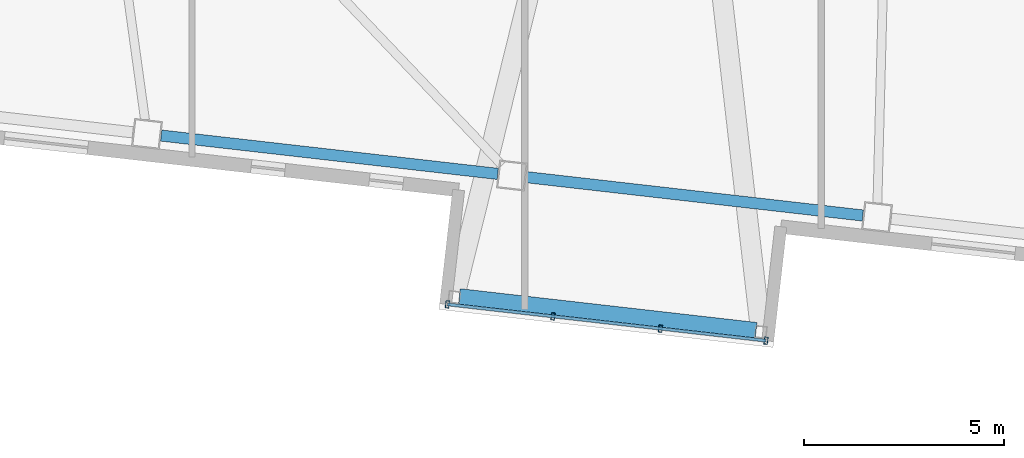
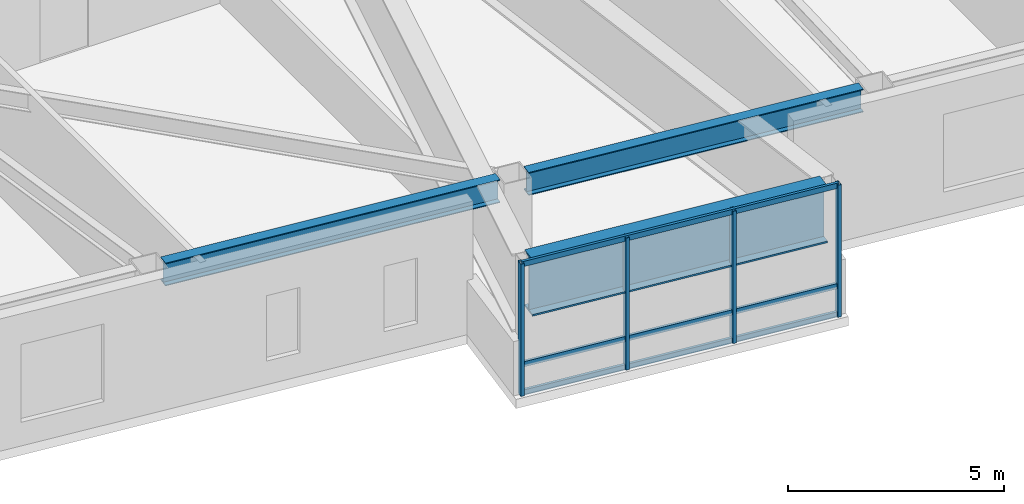
# One storey, part 3 of 22: 7 members, 3 beams, 1 element without a shape of its own.
"""IFC4 building model written with IfcOpenShell, lengths in metres."""

from ifc_helpers import new_model, si_unit, direction, frame, origin, origin_2d, place, context, subcontext, project, spatial, hollow_rectangle, i_section, extrude, material, layer, layer_set, material_profile, profile_set, type_object, element, aggregate, save


model = new_model("IFC4")

# Units and contexts
model_context = context("Model", 3, precision=1e-05, world=origin(), true_north=direction((0.0, 1.0)))
body_context = subcontext(model_context, "Body", "Model", "MODEL_VIEW")
ifc_project = project(units=[si_unit("LENGTHUNIT", "METRE"), si_unit("AREAUNIT", "SQUARE_METRE"), si_unit("VOLUMEUNIT", "CUBIC_METRE"), si_unit("PLANEANGLEUNIT", "RADIAN"), si_unit("MASSUNIT", "GRAM", prefix="KILO")], contexts=[model_context])

# Site, building, storey
site_placement = place(None, origin())
site = spatial("IfcSite", under=ifc_project, at=site_placement, CompositionType="ELEMENT")
building_placement = place(site_placement, origin())
building = spatial("IfcBuilding", under=site, at=building_placement, Name="Tavrogorsk Clinical Tower", CompositionType="ELEMENT")
storey_placement = place(building_placement, frame((0.0, 0.0, 93.39990234375)))
storey = spatial("IfcBuildingStorey", under=building, at=storey_placement, Name="L20", CompositionType="ELEMENT", Elevation=93.39990234375)

# Curtain wall, members
ifc_material_1 = material(Name="Anodised aluminium and triple IGU glazing", Category="aluminium")
ifc_layer = layer(ifc_material_1, 0.179931640625)
ifc_layer_set = layer_set([ifc_layer], Name="Anodised aluminium and triple IGU glazing")
curtain_wall_type = type_object("IfcCurtainWallType", Name="CW4_DayroomBox", PredefinedType="NOTDEFINED", material=ifc_layer_set)
curtain_wall_placement = place(storey_placement, origin())
curtain_wall = element("IfcCurtainWall", 1, at=curtain_wall_placement, inside=storey, type_object=curtain_wall_type, Name="L20 Curtain Wall CW-DRB-03-L20", PredefinedType="NOTDEFINED")
ifc_material_2 = material(Name="Anodised aluminium alloy AW-6060", Category="aluminium")
ifc_material_profile_1 = material_profile(ifc_material_2, hollow_rectangle(XDim=0.090087890625, YDim=0.179931640625, WallThickness=0.00634765625, at=origin_2d()), Name="RHS-180x90x6.3")
ifc_profile_set_1 = profile_set([ifc_material_profile_1], Name="Anodised aluminium alloy AW-6060")
member_type_1 = type_object("IfcMemberType", Name="CwMullion_180x90", PredefinedType="MULLION", material=ifc_profile_set_1)
member_1_placement = place(storey_placement, frame((-15.62158203125, -27.424560546875, 0.0), z_axis=(0.0, 0.0, 1.0), x_axis=(0.993571856066, -0.113203210352, 0.0)))
member_1 = element("IfcMember", 2, at=member_1_placement, type_object=member_type_1, Name="CW-DRB-03-L20 Mullion 1", PredefinedType="MULLION", context=body_context, shape_type="SweptSolid", body=[
    extrude(hollow_rectangle(XDim=0.090087890625, YDim=0.179931640625, WallThickness=0.00634765625, at=origin_2d()), origin(), (0.0, 0.0, 1.0), 3.739990234375),
])
member_2_placement = place(storey_placement, frame((-12.983642578125, -27.72509765625, 0.0), z_axis=(0.0, 0.0, 1.0), x_axis=(0.993571856066, -0.113203210352, 0.0)))
member_2 = element("IfcMember", 3, at=member_2_placement, type_object=member_type_1, Name="CW-DRB-03-L20 Mullion 2", PredefinedType="MULLION", context=body_context, shape_type="SweptSolid", body=[
    extrude(hollow_rectangle(XDim=0.090087890625, YDim=0.179931640625, WallThickness=0.00634765625, at=origin_2d()), origin(), (0.0, 0.0, 1.0), 3.739990234375),
])
member_3_placement = place(storey_placement, frame((-10.301025390625, -28.03076171875, 0.0), z_axis=(0.0, 0.0, 1.0), x_axis=(0.993571856066, -0.113203210352, 0.0)))
member_3 = element("IfcMember", 4, at=member_3_placement, type_object=member_type_1, Name="CW-DRB-03-L20 Mullion 3", PredefinedType="MULLION", context=body_context, shape_type="SweptSolid", body=[
    extrude(hollow_rectangle(XDim=0.090087890625, YDim=0.179931640625, WallThickness=0.00634765625, at=origin_2d()), origin(), (0.0, 0.0, 1.0), 3.739990234375),
])
member_4_placement = place(storey_placement, frame((-7.6630859375, -28.331298828125, 0.0), z_axis=(0.0, 0.0, 1.0), x_axis=(0.993571856066, -0.113203210352, 0.0)))
member_4 = element("IfcMember", 5, at=member_4_placement, type_object=member_type_1, Name="CW-DRB-03-L20 Mullion 4", PredefinedType="MULLION", context=body_context, shape_type="SweptSolid", body=[
    extrude(hollow_rectangle(XDim=0.090087890625, YDim=0.179931640625, WallThickness=0.00634765625, at=origin_2d()), origin(), (0.0, 0.0, 1.0), 3.739990234375),
])
ifc_material_3 = material(Name="Anodised aluminium alloy AW-6060", Category="aluminium")
ifc_material_profile_2 = material_profile(ifc_material_3, hollow_rectangle(XDim=0.074951171875, YDim=0.14990234375, WallThickness=0.0048828125, at=origin_2d()), Name="RHS-150x75x5")
ifc_profile_set_2 = profile_set([ifc_material_profile_2], Name="Anodised aluminium alloy AW-6060")
member_type_2 = type_object("IfcMemberType", Name="CwTransom_150x75", PredefinedType="USERDEFINED", material=ifc_profile_set_2)
member_5_placement = place(storey_placement, frame((-15.62158203125, -27.424560546875, 0.050048828125), z_axis=(0.993572105794, -0.113201018496, 0.0), x_axis=(0.113201018496, 0.993572105794, 0.0)))
member_5 = element("IfcMember", 6, at=member_5_placement, type_object=member_type_2, Name="CW-DRB-03-L20 Transom 1", ObjectType="TRANSOM", PredefinedType="USERDEFINED", context=body_context, shape_type="SweptSolid", body=[
    extrude(hollow_rectangle(XDim=0.074951171875, YDim=0.14990234375, WallThickness=0.0048828125, at=origin_2d()), origin(), (0.0, 0.0, 1.0), 8.010009765625),
])
member_6_placement = place(storey_placement, frame((-15.62158203125, -27.424560546875, 0.85009765625), z_axis=(0.993572105794, -0.113201018496, 0.0), x_axis=(0.113201018496, 0.993572105794, 0.0)))
member_6 = element("IfcMember", 7, at=member_6_placement, type_object=member_type_2, Name="CW-DRB-03-L20 Transom 2", ObjectType="TRANSOM", PredefinedType="USERDEFINED", context=body_context, shape_type="SweptSolid", body=[
    extrude(hollow_rectangle(XDim=0.074951171875, YDim=0.14990234375, WallThickness=0.0048828125, at=origin_2d()), origin(), (0.0, 0.0, 1.0), 8.010009765625),
])
member_7_placement = place(storey_placement, frame((-15.62158203125, -27.424560546875, 3.690185546875), z_axis=(0.993572105794, -0.113201018496, 0.0), x_axis=(0.113201018496, 0.993572105794, 0.0)))
member_7 = element("IfcMember", 8, at=member_7_placement, type_object=member_type_2, Name="CW-DRB-03-L20 Transom 3", ObjectType="TRANSOM", PredefinedType="USERDEFINED", context=body_context, shape_type="SweptSolid", body=[
    extrude(hollow_rectangle(XDim=0.074951171875, YDim=0.14990234375, WallThickness=0.0048828125, at=origin_2d()), origin(), (0.0, 0.0, 1.0), 8.010009765625),
])
aggregate(curtain_wall, [member_1, member_2, member_3, member_4, member_5, member_6, member_7])

# Beams
ifc_material_4 = material(Name="Structural steel S390", Category="steel")
ifc_material_profile_3 = material_profile(ifc_material_4, i_section(OverallWidth=0.280029296875, OverallDepth=0.64990234375, WebThickness=0.01611328125, FlangeThickness=0.02490234375, at=origin_2d()), Name="B-650x280x16x25")
ifc_profile_set_3 = profile_set([ifc_material_profile_3], Name="Structural steel S390")
beam_type_1 = type_object("IfcBeamType", Name="SpandrelBeam_B650", PredefinedType="SPANDREL", material=ifc_profile_set_3)
beam_1_placement = place(storey_placement, frame((-22.770263671875, -23.208251953125, 3.4150390625), z_axis=(0.99357306506, -0.113192598642, 0.0), x_axis=(0.113192598642, 0.99357306506, 0.0)))
element("IfcBeam", 9, at=beam_1_placement, inside=storey, type_object=beam_type_1, Name="L20 Perimeter Spandrel S2-S3", PredefinedType="SPANDREL", context=body_context, shape_type="SweptSolid", body=[
    extrude(i_section(OverallWidth=0.280029296875, OverallDepth=0.64990234375, WebThickness=0.01611328125, FlangeThickness=0.02490234375, at=origin_2d()), origin(), (0.0, 0.0, 1.0), 8.46142578125),
])
beam_2_placement = place(storey_placement, frame((-13.652099609375, -24.2470703125, 3.4150390625), z_axis=(0.993569449752, -0.113224328304, 0.0), x_axis=(0.113224328304, 0.993569449752, 0.0)))
element("IfcBeam", 10, at=beam_2_placement, inside=storey, type_object=beam_type_1, Name="L20 Perimeter Spandrel S3-S4", PredefinedType="SPANDREL", context=body_context, shape_type="SweptSolid", body=[
    extrude(i_section(OverallWidth=0.280029296875, OverallDepth=0.64990234375, WebThickness=0.01611328125, FlangeThickness=0.02490234375, at=origin_2d()), origin(), (0.0, 0.0, 1.0), 8.461181640625),
])
ifc_material_5 = material(Name="Structural steel S440", Category="steel")
ifc_material_profile_4 = material_profile(ifc_material_5, i_section(OverallWidth=0.449951171875, OverallDepth=1.60009765625, WebThickness=0.031982421875, FlangeThickness=0.050048828125, at=origin_2d()), Name="DK-1600x450x32x50")
ifc_profile_set_4 = profile_set([ifc_material_profile_4], Name="Structural steel S440")
beam_type_2 = type_object("IfcBeamType", Name="TransferGirder_DK1600", PredefinedType="USERDEFINED", material=ifc_profile_set_4)
beam_3_placement = place(storey_placement, frame((-15.32568359375, -27.257080078125, 2.940185546875), z_axis=(0.993571749414, -0.113204146422, 0.0), x_axis=(0.113204146422, 0.993571749414, 0.0)))
element("IfcBeam", 11, at=beam_3_placement, inside=storey, type_object=beam_type_2, Name="L20 Day-Room Front Edge Beam DRB-03", ObjectType="GIRDER", PredefinedType="USERDEFINED", context=body_context, shape_type="SweptSolid", body=[
    extrude(i_section(OverallWidth=0.449951171875, OverallDepth=1.60009765625, WebThickness=0.031982421875, FlangeThickness=0.050048828125, at=origin_2d()), origin(), (0.0, 0.0, 1.0), 7.459716796875),
])

save(model, "model.ifc")
